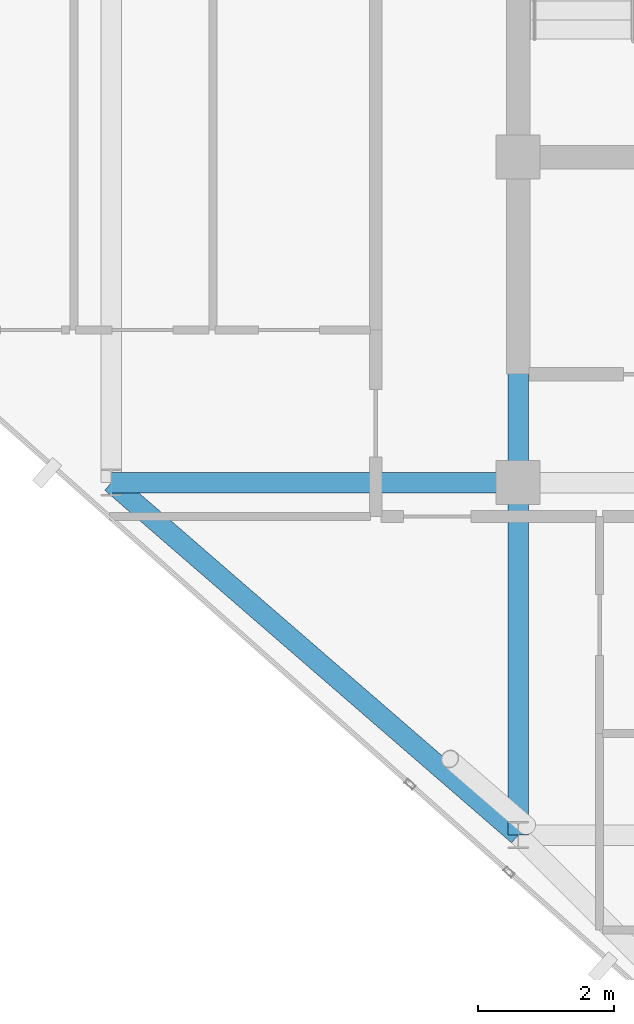
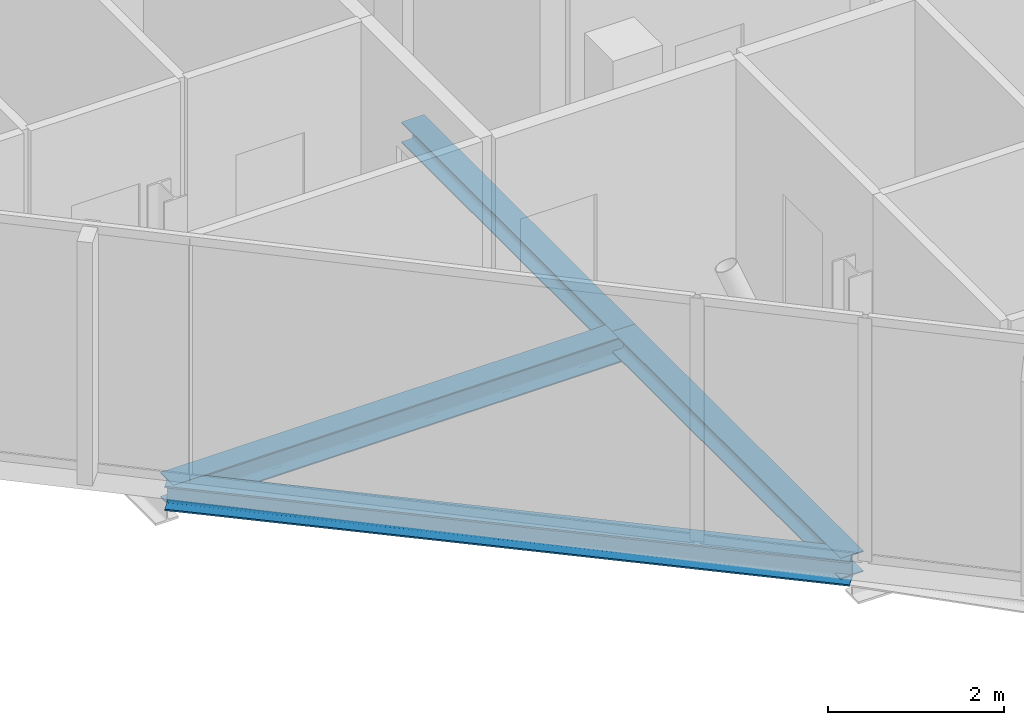
# One storey, part 5 of 27: 4 beams.
"""IFC4 building model written with IfcOpenShell, lengths in metres."""

from ifc_helpers import new_model, si_unit, direction, frame, origin, origin_2d, place, context, subcontext, project, spatial, i_section, extrude, material, material_profile, profile_set, type_object, element, save


model = new_model("IFC4")

# Units and contexts
model_context = context("Model", 3, precision=1e-05, world=origin(), true_north=direction((0.0, 1.0)))
body_context = subcontext(model_context, "Body", "Model", "MODEL_VIEW")
ifc_project = project(units=[si_unit("LENGTHUNIT", "METRE"), si_unit("AREAUNIT", "SQUARE_METRE"), si_unit("VOLUMEUNIT", "CUBIC_METRE"), si_unit("PLANEANGLEUNIT", "RADIAN"), si_unit("MASSUNIT", "GRAM", prefix="KILO")], contexts=[model_context])

# Site, building, storey
site_placement = place(None, origin())
site = spatial("IfcSite", under=ifc_project, at=site_placement, CompositionType="ELEMENT")
building_placement = place(site_placement, origin())
building = spatial("IfcBuilding", under=site, at=building_placement, Name="Keshet Zoharim Tower", CompositionType="ELEMENT")
storey_placement = place(building_placement, frame((0.0, 0.0, 295.39990234375)))
storey = spatial("IfcBuildingStorey", under=building, at=storey_placement, Name="L74", CompositionType="ELEMENT", Elevation=295.39990234375)

# Beams
ifc_material = material(Name="Steel S355", Category="steel")
ifc_material_profile_1 = material_profile(ifc_material, i_section(OverallWidth=0.300048828125, OverallDepth=0.2900390625, WebThickness=0.008544921875, FlangeThickness=0.013916015625, FilletRadius=0.027099609375, at=origin_2d()), Name="HEA300")
ifc_profile_set_1 = profile_set([ifc_material_profile_1], Name="Steel S355")
beam_type_1 = type_object("IfcBeamType", Name="BM-PRI-HA300", PredefinedType="BEAM", material=ifc_profile_set_1)
beam_1_placement = place(storey_placement, frame((15.0, 12.699951171875, -0.454833984375), z_axis=(0.0, 1.0, 0.0), x_axis=(-1.0, 0.0, 0.0)))
element("IfcBeam", 1, at=beam_1_placement, inside=storey, type_object=beam_type_1, Name="L74 Primary Girder Y-002", PredefinedType="BEAM", context=body_context, shape_type="SweptSolid", body=[
    extrude(i_section(OverallWidth=0.300048828125, OverallDepth=0.2900390625, WebThickness=0.008544921875, FlangeThickness=0.013916015625, FilletRadius=0.027099609375, at=origin_2d()), origin(), (0.0, 0.0, 1.0), 5.199951171875),
])
beam_2_placement = place(storey_placement, frame((15.0, 17.89990234375, -0.454833984375), z_axis=(0.0, 1.0, 0.0), x_axis=(-1.0, 0.0, 0.0)))
element("IfcBeam", 2, at=beam_2_placement, inside=storey, type_object=beam_type_1, Name="L74 Primary Girder Y-003", PredefinedType="BEAM", context=body_context, shape_type="SweptSolid", body=[
    extrude(i_section(OverallWidth=0.300048828125, OverallDepth=0.2900390625, WebThickness=0.008544921875, FlangeThickness=0.013916015625, FilletRadius=0.027099609375, at=origin_2d()), origin(), (0.0, 0.0, 1.0), 4.800048828125),
])
ifc_material_profile_2 = material_profile(ifc_material, i_section(OverallWidth=0.300048828125, OverallDepth=0.35009765625, WebThickness=0.010009765625, FlangeThickness=0.017578125, FilletRadius=0.027099609375, at=origin_2d()), Name="HEA360")
ifc_profile_set_2 = profile_set([ifc_material_profile_2], Name="Steel S355")
beam_type_2 = type_object("IfcBeamType", Name="BM-PRI-HA360", PredefinedType="BEAM", material=ifc_profile_set_2)
beam_3_placement = place(storey_placement, frame((9.0, 17.89990234375, -0.48486328125), z_axis=(1.0, 0.0, 0.0), x_axis=(0.0, 1.0, 0.0)))
element("IfcBeam", 3, at=beam_3_placement, inside=storey, type_object=beam_type_2, Name="L74 Primary Girder X-005", PredefinedType="BEAM", context=body_context, shape_type="SweptSolid", body=[
    extrude(i_section(OverallWidth=0.300048828125, OverallDepth=0.35009765625, WebThickness=0.010009765625, FlangeThickness=0.017578125, FilletRadius=0.027099609375, at=origin_2d()), origin(), (0.0, 0.0, 1.0), 6.0),
])
ifc_material_profile_3 = material_profile(ifc_material, i_section(OverallWidth=0.300048828125, OverallDepth=0.340087890625, WebThickness=0.011962890625, FlangeThickness=0.021484375, FilletRadius=0.027099609375, at=origin_2d()), Name="HEB340")
ifc_profile_set_3 = profile_set([ifc_material_profile_3], Name="Steel S355")
beam_type_3 = type_object("IfcBeamType", Name="BM-SPN-HB340", PredefinedType="SPANDREL", material=ifc_profile_set_3)
beam_4_placement = place(storey_placement, frame((9.0, 17.89990234375, -0.47998046875), z_axis=(0.755692126483, -0.654927026447, 0.0), x_axis=(0.654927026447, 0.755692126483, 0.0)))
element("IfcBeam", 4, at=beam_4_placement, inside=storey, type_object=beam_type_3, Name="L74 Perimeter Spandrel Beam 02", PredefinedType="SPANDREL", context=body_context, shape_type="SweptSolid", body=[
    extrude(i_section(OverallWidth=0.300048828125, OverallDepth=0.340087890625, WebThickness=0.011962890625, FlangeThickness=0.021484375, FilletRadius=0.027099609375, at=origin_2d()), origin(), (0.0, 0.0, 1.0), 7.939697265625),
])

save(model, "model.ifc")
